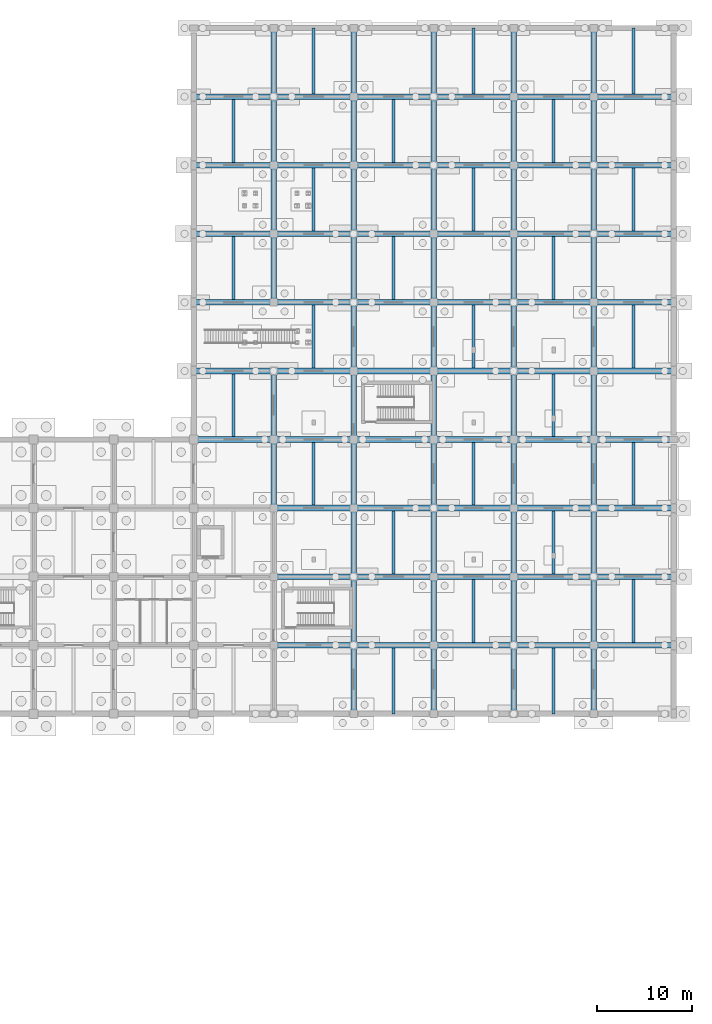
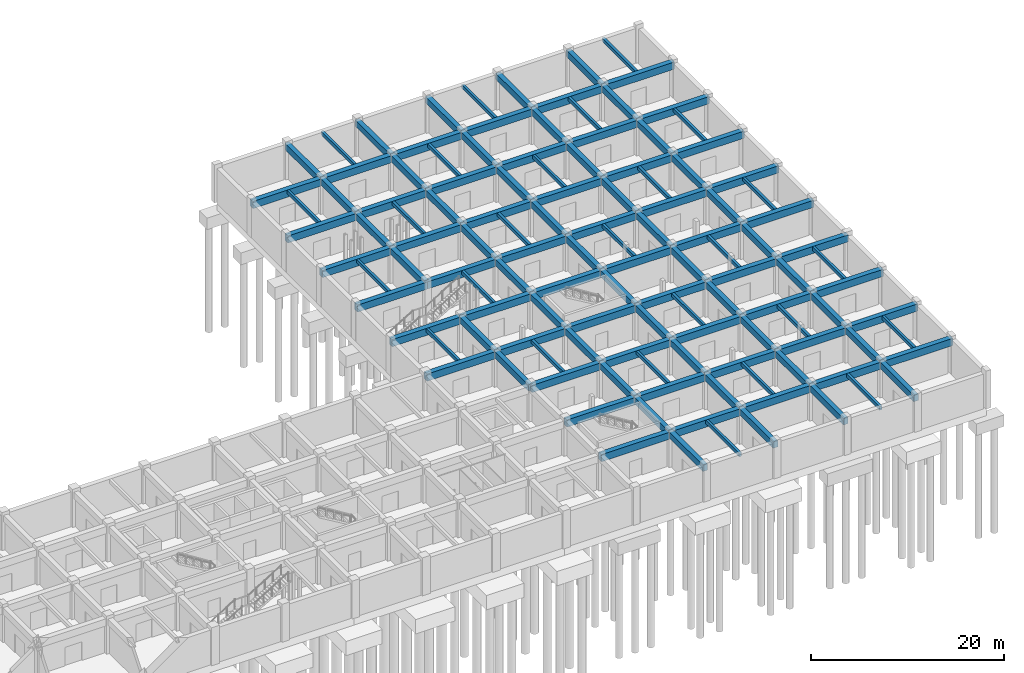
# One storey, part 19 of 38: 123 beams.
"""IFC4 building model written with IfcOpenShell, lengths in metres."""

from ifc_helpers import new_model, si_unit, derived_unit, direction, frame, origin, origin_2d, place, context, subcontext, project, spatial, rectangle, extrude, material, material_profile, profile_set, type_object, element, save


model = new_model("IFC4")

# Units and contexts
model_context = context("Model", 3, precision=1e-05, world=origin(), true_north=direction((0.0, 1.0)))
body_context = subcontext(model_context, "Body", "Model", "MODEL_VIEW")
ifc_project = project(units=[si_unit("LENGTHUNIT", "METRE"), si_unit("AREAUNIT", "SQUARE_METRE"), si_unit("VOLUMEUNIT", "CUBIC_METRE"), si_unit("PLANEANGLEUNIT", "RADIAN"), si_unit("MASSUNIT", "GRAM", prefix="KILO"), derived_unit("THERMALTRANSMITTANCEUNIT", [(si_unit("MASSUNIT", "GRAM", prefix="KILO"), 1), (si_unit("TIMEUNIT", "SECOND"), -3), (si_unit("THERMODYNAMICTEMPERATUREUNIT", "KELVIN"), -1)])], contexts=[model_context])

# Site, building, storey
site_placement = place(None, origin())
site = spatial("IfcSite", under=ifc_project, at=site_placement, CompositionType="ELEMENT")
building_placement = place(site_placement, origin())
building = spatial("IfcBuilding", under=site, at=building_placement, Name="Veldstrom Oceanarium and Marine Research Institute", CompositionType="ELEMENT")
storey_placement = place(building_placement, frame((0.0, 0.0, -9.60009765625)))
storey = spatial("IfcBuildingStorey", under=building, at=storey_placement, Name="B02", CompositionType="ELEMENT", Elevation=-9.60009765625)

# Beams
ifc_material_1 = material(Name="Concrete C40/50", Category="concrete")
ifc_material_profile_1 = material_profile(ifc_material_1, rectangle(XDim=0.60009765625, YDim=0.89990234375, at=origin_2d()), Name="RC-BM-600x900")
ifc_profile_set_1 = profile_set([ifc_material_profile_1], Name="Concrete C40/50")
beam_type_1 = type_object("IfcBeamType", Name="STR-BM-B01", PredefinedType="BEAM", material=ifc_profile_set_1)
for number, where, z_axis, x_axis, name in (
    (1, (117.60009765625, 72.0, 3.945068359375), (1.0, 0.0, 0.0), (0.0, 1.0, 0.0), "Primary Beam B01 B02-0091"),
    (2, (117.60009765625, 79.199951171875, 3.945068359375), (1.0, 0.0, 0.0), (0.0, 1.0, 0.0), "Primary Beam B01 B02-0092"),
    (3, (117.60009765625, 86.39990234375, 3.945068359375), (1.0, 0.0, 0.0), (0.0, 1.0, 0.0), "Primary Beam B01 B02-0093"),
    (4, (117.60009765625, 93.60009765625, 3.945068359375), (1.0, 0.0, 0.0), (0.0, 1.0, 0.0), "Primary Beam B01 B02-0094"),
    (5, (117.60009765625, 100.800048828125, 3.945068359375), (1.0, 0.0, 0.0), (0.0, 1.0, 0.0), "Primary Beam B01 B02-0095"),
    (6, (117.60009765625, 108.0, 3.945068359375), (1.0, 0.0, 0.0), (0.0, 1.0, 0.0), "Primary Beam B01 B02-0096"),
    (7, (126.0, 50.39990234375, 3.945068359375), (1.0, 0.0, 0.0), (0.0, 1.0, 0.0), "Primary Beam B01 B02-0097"),
    (8, (126.0, 57.60009765625, 3.945068359375), (1.0, 0.0, 0.0), (0.0, 1.0, 0.0), "Primary Beam B01 B02-0098"),
    (9, (126.0, 64.800048828125, 3.945068359375), (1.0, 0.0, 0.0), (0.0, 1.0, 0.0), "Primary Beam B01 B02-0099"),
    (10, (126.0, 72.0, 3.945068359375), (1.0, 0.0, 0.0), (0.0, 1.0, 0.0), "Primary Beam B01 B02-0100"),
    (11, (126.0, 79.199951171875, 3.945068359375), (1.0, 0.0, 0.0), (0.0, 1.0, 0.0), "Primary Beam B01 B02-0101"),
    (12, (126.0, 86.39990234375, 3.945068359375), (1.0, 0.0, 0.0), (0.0, 1.0, 0.0), "Primary Beam B01 B02-0102"),
    (13, (126.0, 93.60009765625, 3.945068359375), (1.0, 0.0, 0.0), (0.0, 1.0, 0.0), "Primary Beam B01 B02-0103"),
    (14, (126.0, 100.800048828125, 3.945068359375), (1.0, 0.0, 0.0), (0.0, 1.0, 0.0), "Primary Beam B01 B02-0104"),
    (15, (126.0, 108.0, 3.945068359375), (1.0, 0.0, 0.0), (0.0, 1.0, 0.0), "Primary Beam B01 B02-0105"),
):
    element("IfcBeam", number, at=place(storey_placement, frame(where, z_axis=z_axis, x_axis=x_axis)), inside=storey, type_object=beam_type_1, Name=name, PredefinedType="BEAM", context=body_context, shape_type="SweptSolid", body=[
        extrude(rectangle(XDim=0.60009765625, YDim=0.89990234375, at=origin_2d()), origin(), (0.0, 0.0, 1.0), 8.39990234375),
    ])
for number, where, z_axis, x_axis, name in (
    (16, (134.39990234375, 50.39990234375, 3.945068359375), (1.0, 0.0, 0.0), (0.0, 1.0, 0.0), "Primary Beam B01 B02-0106"),
    (17, (134.39990234375, 57.60009765625, 3.945068359375), (1.0, 0.0, 0.0), (0.0, 1.0, 0.0), "Primary Beam B01 B02-0107"),
    (18, (134.39990234375, 64.800048828125, 3.945068359375), (1.0, 0.0, 0.0), (0.0, 1.0, 0.0), "Primary Beam B01 B02-0108"),
    (19, (134.39990234375, 72.0, 3.945068359375), (1.0, 0.0, 0.0), (0.0, 1.0, 0.0), "Primary Beam B01 B02-0109"),
    (20, (134.39990234375, 79.199951171875, 3.945068359375), (1.0, 0.0, 0.0), (0.0, 1.0, 0.0), "Primary Beam B01 B02-0110"),
    (21, (134.39990234375, 86.39990234375, 3.945068359375), (1.0, 0.0, 0.0), (0.0, 1.0, 0.0), "Primary Beam B01 B02-0111"),
    (22, (134.39990234375, 93.60009765625, 3.945068359375), (1.0, 0.0, 0.0), (0.0, 1.0, 0.0), "Primary Beam B01 B02-0112"),
    (23, (134.39990234375, 100.800048828125, 3.945068359375), (1.0, 0.0, 0.0), (0.0, 1.0, 0.0), "Primary Beam B01 B02-0113"),
    (24, (134.39990234375, 108.0, 3.945068359375), (1.0, 0.0, 0.0), (0.0, 1.0, 0.0), "Primary Beam B01 B02-0114"),
):
    element("IfcBeam", number, at=place(storey_placement, frame(where, z_axis=z_axis, x_axis=x_axis)), inside=storey, type_object=beam_type_1, Name=name, PredefinedType="BEAM", context=body_context, shape_type="SweptSolid", body=[
        extrude(rectangle(XDim=0.60009765625, YDim=0.89990234375, at=origin_2d()), origin(), (0.0, 0.0, 1.0), 8.400146484375),
    ])
for number, where, z_axis, x_axis, name in (
    (25, (142.800048828125, 50.39990234375, 3.945068359375), (1.0, 0.0, 0.0), (0.0, 1.0, 0.0), "Primary Beam B01 B02-0115"),
    (26, (142.800048828125, 57.60009765625, 3.945068359375), (1.0, 0.0, 0.0), (0.0, 1.0, 0.0), "Primary Beam B01 B02-0116"),
    (27, (142.800048828125, 64.800048828125, 3.945068359375), (1.0, 0.0, 0.0), (0.0, 1.0, 0.0), "Primary Beam B01 B02-0117"),
    (28, (142.800048828125, 72.0, 3.945068359375), (1.0, 0.0, 0.0), (0.0, 1.0, 0.0), "Primary Beam B01 B02-0118"),
    (29, (142.800048828125, 79.199951171875, 3.945068359375), (1.0, 0.0, 0.0), (0.0, 1.0, 0.0), "Primary Beam B01 B02-0119"),
    (30, (142.800048828125, 86.39990234375, 3.945068359375), (1.0, 0.0, 0.0), (0.0, 1.0, 0.0), "Primary Beam B01 B02-0120"),
    (31, (142.800048828125, 93.60009765625, 3.945068359375), (1.0, 0.0, 0.0), (0.0, 1.0, 0.0), "Primary Beam B01 B02-0121"),
    (32, (142.800048828125, 100.800048828125, 3.945068359375), (1.0, 0.0, 0.0), (0.0, 1.0, 0.0), "Primary Beam B01 B02-0122"),
    (33, (142.800048828125, 108.0, 3.945068359375), (1.0, 0.0, 0.0), (0.0, 1.0, 0.0), "Primary Beam B01 B02-0123"),
):
    element("IfcBeam", number, at=place(storey_placement, frame(where, z_axis=z_axis, x_axis=x_axis)), inside=storey, type_object=beam_type_1, Name=name, PredefinedType="BEAM", context=body_context, shape_type="SweptSolid", body=[
        extrude(rectangle(XDim=0.60009765625, YDim=0.89990234375, at=origin_2d()), origin(), (0.0, 0.0, 1.0), 8.39990234375),
    ])
for number, where, z_axis, x_axis, name in (
    (34, (151.199951171875, 50.39990234375, 3.945068359375), (1.0, 0.0, 0.0), (0.0, 1.0, 0.0), "Primary Beam B01 B02-0124"),
    (35, (151.199951171875, 57.60009765625, 3.945068359375), (1.0, 0.0, 0.0), (0.0, 1.0, 0.0), "Primary Beam B01 B02-0125"),
    (36, (151.199951171875, 64.800048828125, 3.945068359375), (1.0, 0.0, 0.0), (0.0, 1.0, 0.0), "Primary Beam B01 B02-0126"),
    (37, (151.199951171875, 72.0, 3.945068359375), (1.0, 0.0, 0.0), (0.0, 1.0, 0.0), "Primary Beam B01 B02-0127"),
    (38, (151.199951171875, 79.199951171875, 3.945068359375), (1.0, 0.0, 0.0), (0.0, 1.0, 0.0), "Primary Beam B01 B02-0128"),
    (39, (151.199951171875, 86.39990234375, 3.945068359375), (1.0, 0.0, 0.0), (0.0, 1.0, 0.0), "Primary Beam B01 B02-0129"),
    (40, (151.199951171875, 93.60009765625, 3.945068359375), (1.0, 0.0, 0.0), (0.0, 1.0, 0.0), "Primary Beam B01 B02-0130"),
    (41, (151.199951171875, 100.800048828125, 3.945068359375), (1.0, 0.0, 0.0), (0.0, 1.0, 0.0), "Primary Beam B01 B02-0131"),
    (42, (151.199951171875, 108.0, 3.945068359375), (1.0, 0.0, 0.0), (0.0, 1.0, 0.0), "Primary Beam B01 B02-0132"),
):
    element("IfcBeam", number, at=place(storey_placement, frame(where, z_axis=z_axis, x_axis=x_axis)), inside=storey, type_object=beam_type_1, Name=name, PredefinedType="BEAM", context=body_context, shape_type="SweptSolid", body=[
        extrude(rectangle(XDim=0.60009765625, YDim=0.89990234375, at=origin_2d()), origin(), (0.0, 0.0, 1.0), 8.400146484375),
    ])
for number, where, z_axis, x_axis, name in (
    (43, (159.60009765625, 50.39990234375, 3.945068359375), (1.0, 0.0, 0.0), (0.0, 1.0, 0.0), "Primary Beam B01 B02-0133"),
    (44, (159.60009765625, 57.60009765625, 3.945068359375), (1.0, 0.0, 0.0), (0.0, 1.0, 0.0), "Primary Beam B01 B02-0134"),
    (45, (159.60009765625, 64.800048828125, 3.945068359375), (1.0, 0.0, 0.0), (0.0, 1.0, 0.0), "Primary Beam B01 B02-0135"),
    (46, (159.60009765625, 72.0, 3.945068359375), (1.0, 0.0, 0.0), (0.0, 1.0, 0.0), "Primary Beam B01 B02-0136"),
    (47, (159.60009765625, 79.199951171875, 3.945068359375), (1.0, 0.0, 0.0), (0.0, 1.0, 0.0), "Primary Beam B01 B02-0137"),
    (48, (159.60009765625, 86.39990234375, 3.945068359375), (1.0, 0.0, 0.0), (0.0, 1.0, 0.0), "Primary Beam B01 B02-0138"),
    (49, (159.60009765625, 93.60009765625, 3.945068359375), (1.0, 0.0, 0.0), (0.0, 1.0, 0.0), "Primary Beam B01 B02-0139"),
    (50, (159.60009765625, 100.800048828125, 3.945068359375), (1.0, 0.0, 0.0), (0.0, 1.0, 0.0), "Primary Beam B01 B02-0140"),
    (51, (159.60009765625, 108.0, 3.945068359375), (1.0, 0.0, 0.0), (0.0, 1.0, 0.0), "Primary Beam B01 B02-0141"),
):
    element("IfcBeam", number, at=place(storey_placement, frame(where, z_axis=z_axis, x_axis=x_axis)), inside=storey, type_object=beam_type_1, Name=name, PredefinedType="BEAM", context=body_context, shape_type="SweptSolid", body=[
        extrude(rectangle(XDim=0.60009765625, YDim=0.89990234375, at=origin_2d()), origin(), (0.0, 0.0, 1.0), 8.39990234375),
    ])
ifc_material_2 = material(Name="Concrete C40/50", Category="concrete")
ifc_material_profile_2 = material_profile(ifc_material_2, rectangle(XDim=0.550048828125, YDim=0.800048828125, at=origin_2d()), Name="RC-BM-550x800")
ifc_profile_set_2 = profile_set([ifc_material_profile_2], Name="Concrete C40/50")
beam_type_2 = type_object("IfcBeamType", Name="STR-BM-B02", PredefinedType="BEAM", material=ifc_profile_set_2)
for number, where, z_axis, x_axis, name in (
    (52, (126.0, 64.800048828125, 3.9951171875), (0.0, 1.0, 0.0), (-1.0, 0.0, 0.0), "Primary Beam B02 B02-0239"),
    (53, (126.0, 72.0, 3.9951171875), (0.0, 1.0, 0.0), (-1.0, 0.0, 0.0), "Primary Beam B02 B02-0240"),
):
    element("IfcBeam", number, at=place(storey_placement, frame(where, z_axis=z_axis, x_axis=x_axis)), inside=storey, type_object=beam_type_2, Name=name, PredefinedType="BEAM", context=body_context, shape_type="SweptSolid", body=[
        extrude(rectangle(XDim=0.550048828125, YDim=0.800048828125, at=origin_2d()), origin(), (0.0, 0.0, 1.0), 7.199951171875),
    ])
beam_1_placement = place(storey_placement, frame((126.0, 86.39990234375, 3.9951171875), z_axis=(0.0, 1.0, 0.0), x_axis=(-1.0, 0.0, 0.0)))
element("IfcBeam", 54, at=beam_1_placement, inside=storey, type_object=beam_type_2, Name="Primary Beam B02 B02-0242", PredefinedType="BEAM", context=body_context, shape_type="SweptSolid", body=[
    extrude(rectangle(XDim=0.550048828125, YDim=0.800048828125, at=origin_2d()), origin(), (0.0, 0.0, 1.0), 7.2001953125),
])
for number, where, z_axis, x_axis, name in (
    (55, (126.0, 93.60009765625, 3.9951171875), (0.0, 1.0, 0.0), (-1.0, 0.0, 0.0), "Primary Beam B02 B02-0243"),
    (56, (126.0, 100.800048828125, 3.9951171875), (0.0, 1.0, 0.0), (-1.0, 0.0, 0.0), "Primary Beam B02 B02-0244"),
    (57, (126.0, 108.0, 3.9951171875), (0.0, 1.0, 0.0), (-1.0, 0.0, 0.0), "Primary Beam B02 B02-0245"),
    (58, (134.39990234375, 43.199951171875, 3.9951171875), (0.0, 1.0, 0.0), (-1.0, 0.0, 0.0), "Primary Beam B02 B02-0246"),
):
    element("IfcBeam", number, at=place(storey_placement, frame(where, z_axis=z_axis, x_axis=x_axis)), inside=storey, type_object=beam_type_2, Name=name, PredefinedType="BEAM", context=body_context, shape_type="SweptSolid", body=[
        extrude(rectangle(XDim=0.550048828125, YDim=0.800048828125, at=origin_2d()), origin(), (0.0, 0.0, 1.0), 7.199951171875),
    ])
beam_2_placement = place(storey_placement, frame((134.39990234375, 50.39990234375, 3.9951171875), z_axis=(0.0, 1.0, 0.0), x_axis=(-1.0, 0.0, 0.0)))
element("IfcBeam", 59, at=beam_2_placement, inside=storey, type_object=beam_type_2, Name="Primary Beam B02 B02-0247", PredefinedType="BEAM", context=body_context, shape_type="SweptSolid", body=[
    extrude(rectangle(XDim=0.550048828125, YDim=0.800048828125, at=origin_2d()), origin(), (0.0, 0.0, 1.0), 7.2001953125),
])
for number, where, z_axis, x_axis, name in (
    (60, (134.39990234375, 57.60009765625, 3.9951171875), (0.0, 1.0, 0.0), (-1.0, 0.0, 0.0), "Primary Beam B02 B02-0248"),
    (61, (134.39990234375, 64.800048828125, 3.9951171875), (0.0, 1.0, 0.0), (-1.0, 0.0, 0.0), "Primary Beam B02 B02-0249"),
    (62, (134.39990234375, 72.0, 3.9951171875), (0.0, 1.0, 0.0), (-1.0, 0.0, 0.0), "Primary Beam B02 B02-0250"),
    (63, (134.39990234375, 79.199951171875, 3.9951171875), (0.0, 1.0, 0.0), (-1.0, 0.0, 0.0), "Primary Beam B02 B02-0251"),
):
    element("IfcBeam", number, at=place(storey_placement, frame(where, z_axis=z_axis, x_axis=x_axis)), inside=storey, type_object=beam_type_2, Name=name, PredefinedType="BEAM", context=body_context, shape_type="SweptSolid", body=[
        extrude(rectangle(XDim=0.550048828125, YDim=0.800048828125, at=origin_2d()), origin(), (0.0, 0.0, 1.0), 7.199951171875),
    ])
beam_3_placement = place(storey_placement, frame((134.39990234375, 86.39990234375, 3.9951171875), z_axis=(0.0, 1.0, 0.0), x_axis=(-1.0, 0.0, 0.0)))
element("IfcBeam", 64, at=beam_3_placement, inside=storey, type_object=beam_type_2, Name="Primary Beam B02 B02-0252", PredefinedType="BEAM", context=body_context, shape_type="SweptSolid", body=[
    extrude(rectangle(XDim=0.550048828125, YDim=0.800048828125, at=origin_2d()), origin(), (0.0, 0.0, 1.0), 7.2001953125),
])
for number, where, z_axis, x_axis, name in (
    (65, (134.39990234375, 93.60009765625, 3.9951171875), (0.0, 1.0, 0.0), (-1.0, 0.0, 0.0), "Primary Beam B02 B02-0253"),
    (66, (134.39990234375, 100.800048828125, 3.9951171875), (0.0, 1.0, 0.0), (-1.0, 0.0, 0.0), "Primary Beam B02 B02-0254"),
    (67, (134.39990234375, 108.0, 3.9951171875), (0.0, 1.0, 0.0), (-1.0, 0.0, 0.0), "Primary Beam B02 B02-0255"),
    (68, (142.800048828125, 43.199951171875, 3.9951171875), (0.0, 1.0, 0.0), (-1.0, 0.0, 0.0), "Primary Beam B02 B02-0256"),
):
    element("IfcBeam", number, at=place(storey_placement, frame(where, z_axis=z_axis, x_axis=x_axis)), inside=storey, type_object=beam_type_2, Name=name, PredefinedType="BEAM", context=body_context, shape_type="SweptSolid", body=[
        extrude(rectangle(XDim=0.550048828125, YDim=0.800048828125, at=origin_2d()), origin(), (0.0, 0.0, 1.0), 7.199951171875),
    ])
beam_4_placement = place(storey_placement, frame((142.800048828125, 50.39990234375, 3.9951171875), z_axis=(0.0, 1.0, 0.0), x_axis=(-1.0, 0.0, 0.0)))
element("IfcBeam", 69, at=beam_4_placement, inside=storey, type_object=beam_type_2, Name="Primary Beam B02 B02-0257", PredefinedType="BEAM", context=body_context, shape_type="SweptSolid", body=[
    extrude(rectangle(XDim=0.550048828125, YDim=0.800048828125, at=origin_2d()), origin(), (0.0, 0.0, 1.0), 7.2001953125),
])
for number, where, z_axis, x_axis, name in (
    (70, (142.800048828125, 57.60009765625, 3.9951171875), (0.0, 1.0, 0.0), (-1.0, 0.0, 0.0), "Primary Beam B02 B02-0258"),
    (71, (142.800048828125, 64.800048828125, 3.9951171875), (0.0, 1.0, 0.0), (-1.0, 0.0, 0.0), "Primary Beam B02 B02-0259"),
    (72, (142.800048828125, 72.0, 3.9951171875), (0.0, 1.0, 0.0), (-1.0, 0.0, 0.0), "Primary Beam B02 B02-0260"),
    (73, (142.800048828125, 79.199951171875, 3.9951171875), (0.0, 1.0, 0.0), (-1.0, 0.0, 0.0), "Primary Beam B02 B02-0261"),
):
    element("IfcBeam", number, at=place(storey_placement, frame(where, z_axis=z_axis, x_axis=x_axis)), inside=storey, type_object=beam_type_2, Name=name, PredefinedType="BEAM", context=body_context, shape_type="SweptSolid", body=[
        extrude(rectangle(XDim=0.550048828125, YDim=0.800048828125, at=origin_2d()), origin(), (0.0, 0.0, 1.0), 7.199951171875),
    ])
beam_5_placement = place(storey_placement, frame((142.800048828125, 86.39990234375, 3.9951171875), z_axis=(0.0, 1.0, 0.0), x_axis=(-1.0, 0.0, 0.0)))
element("IfcBeam", 74, at=beam_5_placement, inside=storey, type_object=beam_type_2, Name="Primary Beam B02 B02-0262", PredefinedType="BEAM", context=body_context, shape_type="SweptSolid", body=[
    extrude(rectangle(XDim=0.550048828125, YDim=0.800048828125, at=origin_2d()), origin(), (0.0, 0.0, 1.0), 7.2001953125),
])
for number, where, z_axis, x_axis, name in (
    (75, (142.800048828125, 93.60009765625, 3.9951171875), (0.0, 1.0, 0.0), (-1.0, 0.0, 0.0), "Primary Beam B02 B02-0263"),
    (76, (142.800048828125, 100.800048828125, 3.9951171875), (0.0, 1.0, 0.0), (-1.0, 0.0, 0.0), "Primary Beam B02 B02-0264"),
    (77, (142.800048828125, 108.0, 3.9951171875), (0.0, 1.0, 0.0), (-1.0, 0.0, 0.0), "Primary Beam B02 B02-0265"),
    (78, (151.199951171875, 43.199951171875, 3.9951171875), (0.0, 1.0, 0.0), (-1.0, 0.0, 0.0), "Primary Beam B02 B02-0266"),
):
    element("IfcBeam", number, at=place(storey_placement, frame(where, z_axis=z_axis, x_axis=x_axis)), inside=storey, type_object=beam_type_2, Name=name, PredefinedType="BEAM", context=body_context, shape_type="SweptSolid", body=[
        extrude(rectangle(XDim=0.550048828125, YDim=0.800048828125, at=origin_2d()), origin(), (0.0, 0.0, 1.0), 7.199951171875),
    ])
beam_6_placement = place(storey_placement, frame((151.199951171875, 50.39990234375, 3.9951171875), z_axis=(0.0, 1.0, 0.0), x_axis=(-1.0, 0.0, 0.0)))
element("IfcBeam", 79, at=beam_6_placement, inside=storey, type_object=beam_type_2, Name="Primary Beam B02 B02-0267", PredefinedType="BEAM", context=body_context, shape_type="SweptSolid", body=[
    extrude(rectangle(XDim=0.550048828125, YDim=0.800048828125, at=origin_2d()), origin(), (0.0, 0.0, 1.0), 7.2001953125),
])
for number, where, z_axis, x_axis, name in (
    (80, (151.199951171875, 57.60009765625, 3.9951171875), (0.0, 1.0, 0.0), (-1.0, 0.0, 0.0), "Primary Beam B02 B02-0268"),
    (81, (151.199951171875, 64.800048828125, 3.9951171875), (0.0, 1.0, 0.0), (-1.0, 0.0, 0.0), "Primary Beam B02 B02-0269"),
    (82, (151.199951171875, 72.0, 3.9951171875), (0.0, 1.0, 0.0), (-1.0, 0.0, 0.0), "Primary Beam B02 B02-0270"),
    (83, (151.199951171875, 79.199951171875, 3.9951171875), (0.0, 1.0, 0.0), (-1.0, 0.0, 0.0), "Primary Beam B02 B02-0271"),
):
    element("IfcBeam", number, at=place(storey_placement, frame(where, z_axis=z_axis, x_axis=x_axis)), inside=storey, type_object=beam_type_2, Name=name, PredefinedType="BEAM", context=body_context, shape_type="SweptSolid", body=[
        extrude(rectangle(XDim=0.550048828125, YDim=0.800048828125, at=origin_2d()), origin(), (0.0, 0.0, 1.0), 7.199951171875),
    ])
beam_7_placement = place(storey_placement, frame((151.199951171875, 86.39990234375, 3.9951171875), z_axis=(0.0, 1.0, 0.0), x_axis=(-1.0, 0.0, 0.0)))
element("IfcBeam", 84, at=beam_7_placement, inside=storey, type_object=beam_type_2, Name="Primary Beam B02 B02-0272", PredefinedType="BEAM", context=body_context, shape_type="SweptSolid", body=[
    extrude(rectangle(XDim=0.550048828125, YDim=0.800048828125, at=origin_2d()), origin(), (0.0, 0.0, 1.0), 7.2001953125),
])
for number, where, z_axis, x_axis, name in (
    (85, (151.199951171875, 93.60009765625, 3.9951171875), (0.0, 1.0, 0.0), (-1.0, 0.0, 0.0), "Primary Beam B02 B02-0273"),
    (86, (151.199951171875, 100.800048828125, 3.9951171875), (0.0, 1.0, 0.0), (-1.0, 0.0, 0.0), "Primary Beam B02 B02-0274"),
    (87, (151.199951171875, 108.0, 3.9951171875), (0.0, 1.0, 0.0), (-1.0, 0.0, 0.0), "Primary Beam B02 B02-0275"),
    (88, (159.60009765625, 43.199951171875, 3.9951171875), (0.0, 1.0, 0.0), (-1.0, 0.0, 0.0), "Primary Beam B02 B02-0276"),
):
    element("IfcBeam", number, at=place(storey_placement, frame(where, z_axis=z_axis, x_axis=x_axis)), inside=storey, type_object=beam_type_2, Name=name, PredefinedType="BEAM", context=body_context, shape_type="SweptSolid", body=[
        extrude(rectangle(XDim=0.550048828125, YDim=0.800048828125, at=origin_2d()), origin(), (0.0, 0.0, 1.0), 7.199951171875),
    ])
beam_8_placement = place(storey_placement, frame((159.60009765625, 50.39990234375, 3.9951171875), z_axis=(0.0, 1.0, 0.0), x_axis=(-1.0, 0.0, 0.0)))
element("IfcBeam", 89, at=beam_8_placement, inside=storey, type_object=beam_type_2, Name="Primary Beam B02 B02-0277", PredefinedType="BEAM", context=body_context, shape_type="SweptSolid", body=[
    extrude(rectangle(XDim=0.550048828125, YDim=0.800048828125, at=origin_2d()), origin(), (0.0, 0.0, 1.0), 7.2001953125),
])
for number, where, z_axis, x_axis, name in (
    (90, (159.60009765625, 57.60009765625, 3.9951171875), (0.0, 1.0, 0.0), (-1.0, 0.0, 0.0), "Primary Beam B02 B02-0278"),
    (91, (159.60009765625, 64.800048828125, 3.9951171875), (0.0, 1.0, 0.0), (-1.0, 0.0, 0.0), "Primary Beam B02 B02-0279"),
    (92, (159.60009765625, 72.0, 3.9951171875), (0.0, 1.0, 0.0), (-1.0, 0.0, 0.0), "Primary Beam B02 B02-0280"),
    (93, (159.60009765625, 79.199951171875, 3.9951171875), (0.0, 1.0, 0.0), (-1.0, 0.0, 0.0), "Primary Beam B02 B02-0281"),
):
    element("IfcBeam", number, at=place(storey_placement, frame(where, z_axis=z_axis, x_axis=x_axis)), inside=storey, type_object=beam_type_2, Name=name, PredefinedType="BEAM", context=body_context, shape_type="SweptSolid", body=[
        extrude(rectangle(XDim=0.550048828125, YDim=0.800048828125, at=origin_2d()), origin(), (0.0, 0.0, 1.0), 7.199951171875),
    ])
beam_9_placement = place(storey_placement, frame((159.60009765625, 86.39990234375, 3.9951171875), z_axis=(0.0, 1.0, 0.0), x_axis=(-1.0, 0.0, 0.0)))
element("IfcBeam", 94, at=beam_9_placement, inside=storey, type_object=beam_type_2, Name="Primary Beam B02 B02-0282", PredefinedType="BEAM", context=body_context, shape_type="SweptSolid", body=[
    extrude(rectangle(XDim=0.550048828125, YDim=0.800048828125, at=origin_2d()), origin(), (0.0, 0.0, 1.0), 7.2001953125),
])
for number, where, z_axis, x_axis, name in (
    (95, (159.60009765625, 93.60009765625, 3.9951171875), (0.0, 1.0, 0.0), (-1.0, 0.0, 0.0), "Primary Beam B02 B02-0283"),
    (96, (159.60009765625, 100.800048828125, 3.9951171875), (0.0, 1.0, 0.0), (-1.0, 0.0, 0.0), "Primary Beam B02 B02-0284"),
    (97, (159.60009765625, 108.0, 3.9951171875), (0.0, 1.0, 0.0), (-1.0, 0.0, 0.0), "Primary Beam B02 B02-0285"),
):
    element("IfcBeam", number, at=place(storey_placement, frame(where, z_axis=z_axis, x_axis=x_axis)), inside=storey, type_object=beam_type_2, Name=name, PredefinedType="BEAM", context=body_context, shape_type="SweptSolid", body=[
        extrude(rectangle(XDim=0.550048828125, YDim=0.800048828125, at=origin_2d()), origin(), (0.0, 0.0, 1.0), 7.199951171875),
    ])
ifc_material_3 = material(Name="Concrete C40/50", Category="concrete")
ifc_material_profile_3 = material_profile(ifc_material_3, rectangle(XDim=0.300048828125, YDim=0.449951171875, at=origin_2d()), Name="RC-JST-300x450")
ifc_profile_set_3 = profile_set([ifc_material_profile_3], Name="Concrete C40/50")
beam_type_3 = type_object("IfcBeamType", Name="STR-JST-J01", PredefinedType="JOIST", material=ifc_profile_set_3)
beam_10_placement = place(storey_placement, frame((121.800048828125, 72.300048828125, 4.170166015625), z_axis=(0.0, 1.0, 0.0), x_axis=(-1.0, 0.0, 0.0)))
element("IfcBeam", 98, at=beam_10_placement, inside=storey, type_object=beam_type_3, Name="Secondary Joist J01 B02-0335", PredefinedType="JOIST", context=body_context, shape_type="SweptSolid", body=[
    extrude(rectangle(XDim=0.300048828125, YDim=0.449951171875, at=origin_2d()), origin(), (0.0, 0.0, 1.0), 6.599853515625),
])
beam_11_placement = place(storey_placement, frame((121.800048828125, 86.699951171875, 4.170166015625), z_axis=(0.0, 1.0, 0.0), x_axis=(-1.0, 0.0, 0.0)))
element("IfcBeam", 99, at=beam_11_placement, inside=storey, type_object=beam_type_3, Name="Secondary Joist J01 B02-0336", PredefinedType="JOIST", context=body_context, shape_type="SweptSolid", body=[
    extrude(rectangle(XDim=0.300048828125, YDim=0.449951171875, at=origin_2d()), origin(), (0.0, 0.0, 1.0), 6.60009765625),
])
for number, where, z_axis, x_axis, name in (
    (100, (121.800048828125, 101.10009765625, 4.170166015625), (0.0, 1.0, 0.0), (-1.0, 0.0, 0.0), "Secondary Joist J01 B02-0337"),
    (101, (130.199951171875, 65.10009765625, 4.170166015625), (0.0, 1.0, 0.0), (-1.0, 0.0, 0.0), "Secondary Joist J01 B02-0338"),
):
    element("IfcBeam", number, at=place(storey_placement, frame(where, z_axis=z_axis, x_axis=x_axis)), inside=storey, type_object=beam_type_3, Name=name, PredefinedType="JOIST", context=body_context, shape_type="SweptSolid", body=[
        extrude(rectangle(XDim=0.300048828125, YDim=0.449951171875, at=origin_2d()), origin(), (0.0, 0.0, 1.0), 6.599853515625),
    ])
for number, where, z_axis, x_axis, name in (
    (102, (130.199951171875, 79.5, 4.170166015625), (0.0, 1.0, 0.0), (-1.0, 0.0, 0.0), "Secondary Joist J01 B02-0339"),
    (103, (130.199951171875, 93.89990234375, 4.170166015625), (0.0, 1.0, 0.0), (-1.0, 0.0, 0.0), "Secondary Joist J01 B02-0340"),
):
    element("IfcBeam", number, at=place(storey_placement, frame(where, z_axis=z_axis, x_axis=x_axis)), inside=storey, type_object=beam_type_3, Name=name, PredefinedType="JOIST", context=body_context, shape_type="SweptSolid", body=[
        extrude(rectangle(XDim=0.300048828125, YDim=0.449951171875, at=origin_2d()), origin(), (0.0, 0.0, 1.0), 6.60009765625),
    ])
beam_12_placement = place(storey_placement, frame((130.199951171875, 108.300048828125, 4.170166015625), z_axis=(0.0, 1.0, 0.0), x_axis=(-1.0, 0.0, 0.0)))
element("IfcBeam", 104, at=beam_12_placement, inside=storey, type_object=beam_type_3, Name="Secondary Joist J01 B02-0341", PredefinedType="JOIST", context=body_context, shape_type="SweptSolid", body=[
    extrude(rectangle(XDim=0.300048828125, YDim=0.449951171875, at=origin_2d()), origin(), (0.0, 0.0, 1.0), 6.89990234375),
])
beam_13_placement = place(storey_placement, frame((138.60009765625, 43.199951171875, 4.170166015625), z_axis=(0.0, 1.0, 0.0), x_axis=(-1.0, 0.0, 0.0)))
element("IfcBeam", 105, at=beam_13_placement, inside=storey, type_object=beam_type_3, Name="Secondary Joist J01 B02-0342", PredefinedType="JOIST", context=body_context, shape_type="SweptSolid", body=[
    extrude(rectangle(XDim=0.300048828125, YDim=0.449951171875, at=origin_2d()), origin(), (0.0, 0.0, 1.0), 6.900146484375),
])
for number, where, z_axis, x_axis, name in (
    (106, (138.60009765625, 57.89990234375, 4.170166015625), (0.0, 1.0, 0.0), (-1.0, 0.0, 0.0), "Secondary Joist J01 B02-0343"),
    (107, (138.60009765625, 86.699951171875, 4.170166015625), (0.0, 1.0, 0.0), (-1.0, 0.0, 0.0), "Secondary Joist J01 B02-0344"),
):
    element("IfcBeam", number, at=place(storey_placement, frame(where, z_axis=z_axis, x_axis=x_axis)), inside=storey, type_object=beam_type_3, Name=name, PredefinedType="JOIST", context=body_context, shape_type="SweptSolid", body=[
        extrude(rectangle(XDim=0.300048828125, YDim=0.449951171875, at=origin_2d()), origin(), (0.0, 0.0, 1.0), 6.60009765625),
    ])
beam_14_placement = place(storey_placement, frame((138.60009765625, 101.10009765625, 4.170166015625), z_axis=(0.0, 1.0, 0.0), x_axis=(-1.0, 0.0, 0.0)))
element("IfcBeam", 108, at=beam_14_placement, inside=storey, type_object=beam_type_3, Name="Secondary Joist J01 B02-0345", PredefinedType="JOIST", context=body_context, shape_type="SweptSolid", body=[
    extrude(rectangle(XDim=0.300048828125, YDim=0.449951171875, at=origin_2d()), origin(), (0.0, 0.0, 1.0), 6.599853515625),
])
beam_15_placement = place(storey_placement, frame((147.0, 50.699951171875, 4.170166015625), z_axis=(0.0, 1.0, 0.0), x_axis=(-1.0, 0.0, 0.0)))
element("IfcBeam", 109, at=beam_15_placement, inside=storey, type_object=beam_type_3, Name="Secondary Joist J01 B02-0346", PredefinedType="JOIST", context=body_context, shape_type="SweptSolid", body=[
    extrude(rectangle(XDim=0.300048828125, YDim=0.449951171875, at=origin_2d()), origin(), (0.0, 0.0, 1.0), 6.60009765625),
])
beam_16_placement = place(storey_placement, frame((147.0, 65.10009765625, 4.170166015625), z_axis=(0.0, 1.0, 0.0), x_axis=(-1.0, 0.0, 0.0)))
element("IfcBeam", 110, at=beam_16_placement, inside=storey, type_object=beam_type_3, Name="Secondary Joist J01 B02-0347", PredefinedType="JOIST", context=body_context, shape_type="SweptSolid", body=[
    extrude(rectangle(XDim=0.300048828125, YDim=0.449951171875, at=origin_2d()), origin(), (0.0, 0.0, 1.0), 6.599853515625),
])
for number, where, z_axis, x_axis, name in (
    (111, (147.0, 79.5, 4.170166015625), (0.0, 1.0, 0.0), (-1.0, 0.0, 0.0), "Secondary Joist J01 B02-0348"),
    (112, (147.0, 93.89990234375, 4.170166015625), (0.0, 1.0, 0.0), (-1.0, 0.0, 0.0), "Secondary Joist J01 B02-0349"),
):
    element("IfcBeam", number, at=place(storey_placement, frame(where, z_axis=z_axis, x_axis=x_axis)), inside=storey, type_object=beam_type_3, Name=name, PredefinedType="JOIST", context=body_context, shape_type="SweptSolid", body=[
        extrude(rectangle(XDim=0.300048828125, YDim=0.449951171875, at=origin_2d()), origin(), (0.0, 0.0, 1.0), 6.60009765625),
    ])
beam_17_placement = place(storey_placement, frame((147.0, 108.300048828125, 4.170166015625), z_axis=(0.0, 1.0, 0.0), x_axis=(-1.0, 0.0, 0.0)))
element("IfcBeam", 113, at=beam_17_placement, inside=storey, type_object=beam_type_3, Name="Secondary Joist J01 B02-0350", PredefinedType="JOIST", context=body_context, shape_type="SweptSolid", body=[
    extrude(rectangle(XDim=0.300048828125, YDim=0.449951171875, at=origin_2d()), origin(), (0.0, 0.0, 1.0), 6.89990234375),
])
beam_18_placement = place(storey_placement, frame((155.39990234375, 43.199951171875, 4.170166015625), z_axis=(0.0, 1.0, 0.0), x_axis=(-1.0, 0.0, 0.0)))
element("IfcBeam", 114, at=beam_18_placement, inside=storey, type_object=beam_type_3, Name="Secondary Joist J01 B02-0351", PredefinedType="JOIST", context=body_context, shape_type="SweptSolid", body=[
    extrude(rectangle(XDim=0.300048828125, YDim=0.449951171875, at=origin_2d()), origin(), (0.0, 0.0, 1.0), 6.900146484375),
])
beam_19_placement = place(storey_placement, frame((155.39990234375, 57.89990234375, 4.170166015625), z_axis=(0.0, 1.0, 0.0), x_axis=(-1.0, 0.0, 0.0)))
element("IfcBeam", 115, at=beam_19_placement, inside=storey, type_object=beam_type_3, Name="Secondary Joist J01 B02-0352", PredefinedType="JOIST", context=body_context, shape_type="SweptSolid", body=[
    extrude(rectangle(XDim=0.300048828125, YDim=0.449951171875, at=origin_2d()), origin(), (0.0, 0.0, 1.0), 6.60009765625),
])
beam_20_placement = place(storey_placement, frame((155.39990234375, 72.300048828125, 4.170166015625), z_axis=(0.0, 1.0, 0.0), x_axis=(-1.0, 0.0, 0.0)))
element("IfcBeam", 116, at=beam_20_placement, inside=storey, type_object=beam_type_3, Name="Secondary Joist J01 B02-0353", PredefinedType="JOIST", context=body_context, shape_type="SweptSolid", body=[
    extrude(rectangle(XDim=0.300048828125, YDim=0.449951171875, at=origin_2d()), origin(), (0.0, 0.0, 1.0), 6.599853515625),
])
beam_21_placement = place(storey_placement, frame((155.39990234375, 86.699951171875, 4.170166015625), z_axis=(0.0, 1.0, 0.0), x_axis=(-1.0, 0.0, 0.0)))
element("IfcBeam", 117, at=beam_21_placement, inside=storey, type_object=beam_type_3, Name="Secondary Joist J01 B02-0354", PredefinedType="JOIST", context=body_context, shape_type="SweptSolid", body=[
    extrude(rectangle(XDim=0.300048828125, YDim=0.449951171875, at=origin_2d()), origin(), (0.0, 0.0, 1.0), 6.60009765625),
])
beam_22_placement = place(storey_placement, frame((155.39990234375, 101.10009765625, 4.170166015625), z_axis=(0.0, 1.0, 0.0), x_axis=(-1.0, 0.0, 0.0)))
element("IfcBeam", 118, at=beam_22_placement, inside=storey, type_object=beam_type_3, Name="Secondary Joist J01 B02-0355", PredefinedType="JOIST", context=body_context, shape_type="SweptSolid", body=[
    extrude(rectangle(XDim=0.300048828125, YDim=0.449951171875, at=origin_2d()), origin(), (0.0, 0.0, 1.0), 6.599853515625),
])
beam_23_placement = place(storey_placement, frame((163.800048828125, 50.699951171875, 4.170166015625), z_axis=(0.0, 1.0, 0.0), x_axis=(-1.0, 0.0, 0.0)))
element("IfcBeam", 119, at=beam_23_placement, inside=storey, type_object=beam_type_3, Name="Secondary Joist J01 B02-0356", PredefinedType="JOIST", context=body_context, shape_type="SweptSolid", body=[
    extrude(rectangle(XDim=0.300048828125, YDim=0.449951171875, at=origin_2d()), origin(), (0.0, 0.0, 1.0), 6.60009765625),
])
beam_24_placement = place(storey_placement, frame((163.800048828125, 65.10009765625, 4.170166015625), z_axis=(0.0, 1.0, 0.0), x_axis=(-1.0, 0.0, 0.0)))
element("IfcBeam", 120, at=beam_24_placement, inside=storey, type_object=beam_type_3, Name="Secondary Joist J01 B02-0357", PredefinedType="JOIST", context=body_context, shape_type="SweptSolid", body=[
    extrude(rectangle(XDim=0.300048828125, YDim=0.449951171875, at=origin_2d()), origin(), (0.0, 0.0, 1.0), 6.599853515625),
])
for number, where, z_axis, x_axis, name in (
    (121, (163.800048828125, 79.5, 4.170166015625), (0.0, 1.0, 0.0), (-1.0, 0.0, 0.0), "Secondary Joist J01 B02-0358"),
    (122, (163.800048828125, 93.89990234375, 4.170166015625), (0.0, 1.0, 0.0), (-1.0, 0.0, 0.0), "Secondary Joist J01 B02-0359"),
):
    element("IfcBeam", number, at=place(storey_placement, frame(where, z_axis=z_axis, x_axis=x_axis)), inside=storey, type_object=beam_type_3, Name=name, PredefinedType="JOIST", context=body_context, shape_type="SweptSolid", body=[
        extrude(rectangle(XDim=0.300048828125, YDim=0.449951171875, at=origin_2d()), origin(), (0.0, 0.0, 1.0), 6.60009765625),
    ])
beam_25_placement = place(storey_placement, frame((163.800048828125, 108.300048828125, 4.170166015625), z_axis=(0.0, 1.0, 0.0), x_axis=(-1.0, 0.0, 0.0)))
element("IfcBeam", 123, at=beam_25_placement, inside=storey, type_object=beam_type_3, Name="Secondary Joist J01 B02-0360", PredefinedType="JOIST", context=body_context, shape_type="SweptSolid", body=[
    extrude(rectangle(XDim=0.300048828125, YDim=0.449951171875, at=origin_2d()), origin(), (0.0, 0.0, 1.0), 6.89990234375),
])

save(model, "model.ifc")
